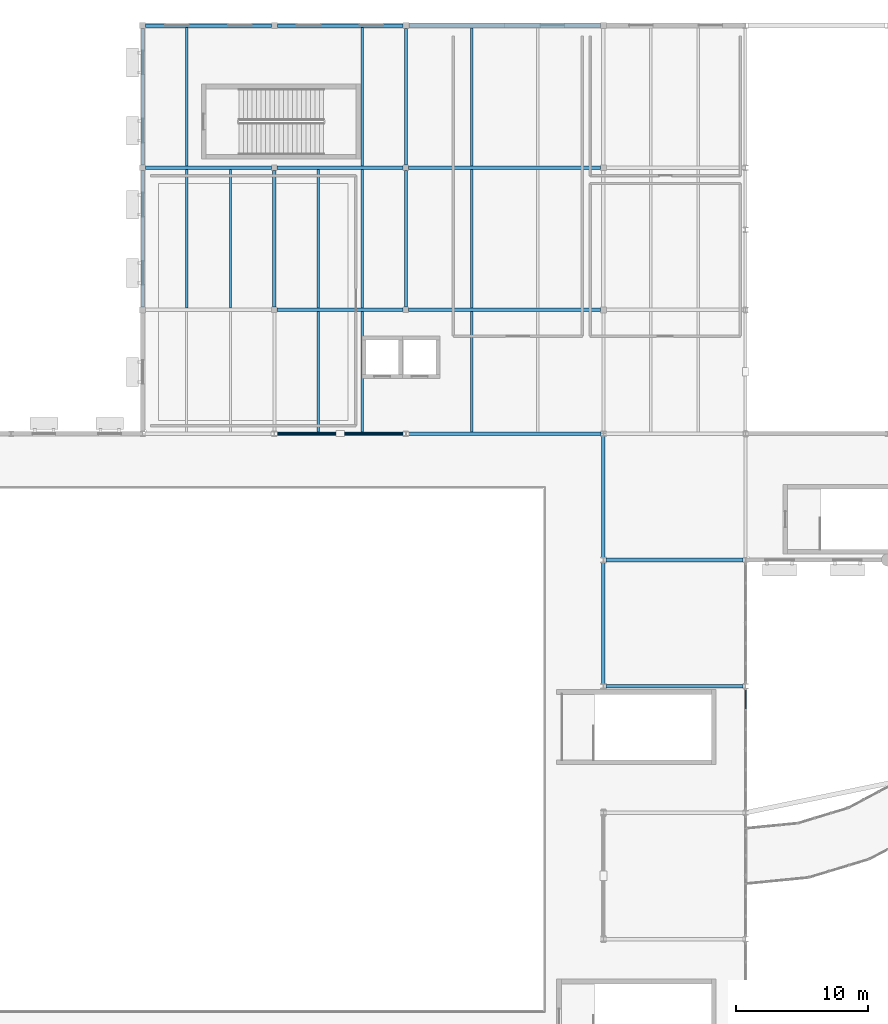
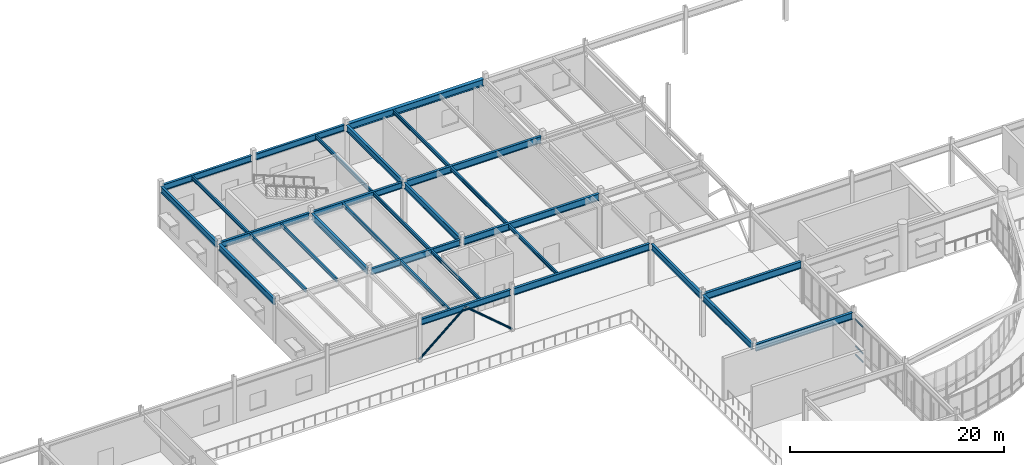
# One storey, part 23 of 68: 30 beams, 5 members, 1 element without a shape of its own.
"""IFC4 building model written with IfcOpenShell, lengths in metres."""

from ifc_helpers import new_model, si_unit, direction, frame, origin, origin_2d, place, context, subcontext, project, spatial, rectangle, hollow_circle, i_section, extrude, material, material_profile, profile_set, type_object, element, aggregate, save


model = new_model("IFC4")

# Units and contexts
model_context = context("Model", 3, precision=1e-05, world=origin(), true_north=direction((0.0, 1.0)))
body_context = subcontext(model_context, "Body", "Model", "MODEL_VIEW")
ifc_project = project(units=[si_unit("LENGTHUNIT", "METRE"), si_unit("AREAUNIT", "SQUARE_METRE"), si_unit("VOLUMEUNIT", "CUBIC_METRE"), si_unit("PLANEANGLEUNIT", "RADIAN"), si_unit("MASSUNIT", "GRAM", prefix="KILO")], contexts=[model_context])

# Site, building, storey
site_placement = place(None, origin())
site = spatial("IfcSite", under=ifc_project, at=site_placement, CompositionType="ELEMENT")
building_placement = place(site_placement, origin())
building = spatial("IfcBuilding", under=site, at=building_placement, Name="Veldera Park Congress Hotel", CompositionType="ELEMENT")
storey_placement = place(building_placement, frame((0.0, 0.0, 10.800048828125)))
storey = spatial("IfcBuildingStorey", under=building, at=storey_placement, Name="L02", CompositionType="ELEMENT", Elevation=10.800048828125)

# Beams
ifc_material_1 = material(Name="Steel ASTM A992 Gr.50", Category="steel")
ifc_material_profile_1 = material_profile(ifc_material_1, i_section(OverallWidth=0.256103515625, OverallDepth=0.693115234375, WebThickness=0.014404296875, FlangeThickness=0.023681640625, at=origin_2d()), Name="W27X114")
ifc_profile_set_1 = profile_set([ifc_material_profile_1], Name="Steel ASTM A992 Gr.50")
beam_type_1 = type_object("IfcBeamType", Name="BM-W27", PredefinedType="BEAM", material=ifc_profile_set_1)
beam_1_placement = place(storey_placement, frame((-47.39990234375, 36.625, 4.453369140625), z_axis=(0.0, 1.0, 0.0), x_axis=(-1.0, 0.0, 0.0)))
element("IfcBeam", 1, at=beam_1_placement, inside=storey, type_object=beam_type_1, Name="L02 Girder BM-W27 951", PredefinedType="BEAM", context=body_context, shape_type="SweptSolid", body=[
    extrude(i_section(OverallWidth=0.256103515625, OverallDepth=0.693115234375, WebThickness=0.014404296875, FlangeThickness=0.023681640625, at=origin_2d()), origin(), (0.0, 0.0, 1.0), 10.35009765625),
])
beam_2_placement = place(storey_placement, frame((-47.39990234375, 47.425048828125, 4.453369140625), z_axis=(0.0, 1.0, 0.0), x_axis=(-1.0, 0.0, 0.0)))
element("IfcBeam", 2, at=beam_2_placement, inside=storey, type_object=beam_type_1, Name="L02 Girder BM-W27 952", PredefinedType="BEAM", context=body_context, shape_type="SweptSolid", body=[
    extrude(i_section(OverallWidth=0.256103515625, OverallDepth=0.693115234375, WebThickness=0.014404296875, FlangeThickness=0.023681640625, at=origin_2d()), origin(), (0.0, 0.0, 1.0), 10.349853515625),
])
for number, where, z_axis, x_axis, name in (
    (3, (-37.39990234375, 36.610107421875, 4.453369140625), (0.0, 1.0, 0.0), (-1.0, 0.0, 0.0), "L02 Girder BM-W27 957"),
    (4, (-27.39990234375, 36.610107421875, 4.453369140625), (0.0, 1.0, 0.0), (-1.0, 0.0, 0.0), "L02 Girder BM-W27 958"),
):
    element("IfcBeam", number, at=place(storey_placement, frame(where, z_axis=z_axis, x_axis=x_axis)), inside=storey, type_object=beam_type_1, Name=name, PredefinedType="BEAM", context=body_context, shape_type="SweptSolid", body=[
        extrude(i_section(OverallWidth=0.256103515625, OverallDepth=0.693115234375, WebThickness=0.014404296875, FlangeThickness=0.023681640625, at=origin_2d()), origin(), (0.0, 0.0, 1.0), 10.3798828125),
    ])
beam_3_placement = place(storey_placement, frame((-27.39990234375, 47.409912109375, 4.453369140625), z_axis=(0.0, 1.0, 0.0), x_axis=(-1.0, 0.0, 0.0)))
element("IfcBeam", 5, at=beam_3_placement, inside=storey, type_object=beam_type_1, Name="L02 Girder BM-W27 959", PredefinedType="BEAM", context=body_context, shape_type="SweptSolid", body=[
    extrude(i_section(OverallWidth=0.256103515625, OverallDepth=0.693115234375, WebThickness=0.014404296875, FlangeThickness=0.023681640625, at=origin_2d()), origin(), (0.0, 0.0, 1.0), 10.364990234375),
])
beam_4_placement = place(storey_placement, frame((-12.39990234375, 7.993408203125, 4.453369140625), z_axis=(0.0, 1.0, 0.0), x_axis=(-1.0, 0.0, 0.0)))
element("IfcBeam", 6, at=beam_4_placement, inside=storey, type_object=beam_type_1, Name="L02 Girder BM-W27 961", PredefinedType="BEAM", context=body_context, shape_type="SweptSolid", body=[
    extrude(i_section(OverallWidth=0.256103515625, OverallDepth=0.693115234375, WebThickness=0.014404296875, FlangeThickness=0.023681640625, at=origin_2d()), origin(), (0.0, 0.0, 1.0), 9.213134765625),
])
beam_5_placement = place(storey_placement, frame((-12.39990234375, 17.593505859375, 4.453369140625), z_axis=(0.0, 1.0, 0.0), x_axis=(-1.0, 0.0, 0.0)))
element("IfcBeam", 7, at=beam_5_placement, inside=storey, type_object=beam_type_1, Name="L02 Girder BM-W27 962", PredefinedType="BEAM", context=body_context, shape_type="SweptSolid", body=[
    extrude(i_section(OverallWidth=0.256103515625, OverallDepth=0.693115234375, WebThickness=0.014404296875, FlangeThickness=0.023681640625, at=origin_2d()), origin(), (0.0, 0.0, 1.0), 9.2099609375),
])
ifc_material_profile_2 = material_profile(ifc_material_1, i_section(OverallWidth=0.25390625, OverallDepth=0.700927734375, WebThickness=0.015380859375, FlangeThickness=0.02783203125, at=origin_2d()), Name="W27X129")
ifc_profile_set_2 = profile_set([ifc_material_profile_2], Name="Steel ASTM A992 Gr.50")
beam_type_2 = type_object("IfcBeamType", Name="BM-W27B", PredefinedType="BEAM", material=ifc_profile_set_2)
beam_6_placement = place(storey_placement, frame((-37.212890625, 27.0, 4.449462890625), z_axis=(1.0, 0.0, 0.0), x_axis=(0.0, 1.0, 0.0)))
element("IfcBeam", 8, at=beam_6_placement, inside=storey, type_object=beam_type_2, Name="L02 Girder BM-W27B 880", PredefinedType="BEAM", context=body_context, shape_type="SweptSolid", body=[
    extrude(i_section(OverallWidth=0.25390625, OverallDepth=0.700927734375, WebThickness=0.015380859375, FlangeThickness=0.02783203125, at=origin_2d()), origin(), (0.0, 0.0, 1.0), 9.6259765625),
])
beam_7_placement = place(storey_placement, frame((-37.18994140625, 36.39990234375, 4.449462890625), z_axis=(1.0, 0.0, 0.0), x_axis=(0.0, 1.0, 0.0)))
element("IfcBeam", 9, at=beam_7_placement, inside=storey, type_object=beam_type_2, Name="L02 Girder BM-W27B 894", PredefinedType="BEAM", context=body_context, shape_type="SweptSolid", body=[
    extrude(i_section(OverallWidth=0.25390625, OverallDepth=0.700927734375, WebThickness=0.015380859375, FlangeThickness=0.02783203125, at=origin_2d()), origin(), (0.0, 0.0, 1.0), 9.579833984375),
])
beam_8_placement = place(storey_placement, frame((-47.175048828125, 47.199951171875, 4.449462890625), z_axis=(1.0, 0.0, 0.0), x_axis=(0.0, 1.0, 0.0)))
element("IfcBeam", 10, at=beam_8_placement, inside=storey, type_object=beam_type_2, Name="L02 Girder BM-W27B 903", PredefinedType="BEAM", context=body_context, shape_type="SweptSolid", body=[
    extrude(i_section(OverallWidth=0.25390625, OverallDepth=0.700927734375, WebThickness=0.015380859375, FlangeThickness=0.02783203125, at=origin_2d()), origin(), (0.0, 0.0, 1.0), 9.56494140625),
])
beam_9_placement = place(storey_placement, frame((-37.18994140625, 47.199951171875, 4.449462890625), z_axis=(1.0, 0.0, 0.0), x_axis=(0.0, 1.0, 0.0)))
element("IfcBeam", 11, at=beam_9_placement, inside=storey, type_object=beam_type_2, Name="L02 Girder BM-W27B 904", PredefinedType="BEAM", context=body_context, shape_type="SweptSolid", body=[
    extrude(i_section(OverallWidth=0.25390625, OverallDepth=0.700927734375, WebThickness=0.015380859375, FlangeThickness=0.02783203125, at=origin_2d()), origin(), (0.0, 0.0, 1.0), 9.579833984375),
])
ifc_material_profile_3 = material_profile(ifc_material_1, i_section(OverallWidth=0.25390625, OverallDepth=0.700927734375, WebThickness=0.015380859375, FlangeThickness=0.02783203125, at=origin_2d()), Name="W27X129")
ifc_profile_set_3 = profile_set([ifc_material_profile_3], Name="Steel ASTM A992 Gr.50")
beam_type_3 = type_object("IfcBeamType", Name="BM-W27BE", PredefinedType="BEAM", material=ifc_profile_set_3)
for number, where, z_axis, x_axis, name in (
    (12, (-47.175048828125, 58.0, 4.449462890625), (1.0, 0.0, 0.0), (0.0, 1.0, 0.0), "L02 Girder BM-W27BE 911"),
    (13, (-37.175048828125, 58.0, 4.449462890625), (1.0, 0.0, 0.0), (0.0, 1.0, 0.0), "L02 Girder BM-W27BE 912"),
):
    element("IfcBeam", number, at=place(storey_placement, frame(where, z_axis=z_axis, x_axis=x_axis)), inside=storey, type_object=beam_type_3, Name=name, PredefinedType="BEAM", context=body_context, shape_type="SweptSolid", body=[
        extrude(i_section(OverallWidth=0.25390625, OverallDepth=0.700927734375, WebThickness=0.015380859375, FlangeThickness=0.02783203125, at=origin_2d()), origin(), (0.0, 0.0, 1.0), 9.550048828125),
    ])
ifc_material_profile_4 = material_profile(ifc_material_1, i_section(OverallWidth=0.26708984375, OverallDepth=0.779052734375, WebThickness=0.0166015625, FlangeThickness=0.030029296875, at=origin_2d()), Name="W30X148")
ifc_profile_set_4 = profile_set([ifc_material_profile_4], Name="Steel ASTM A992 Gr.50")
beam_type_4 = type_object("IfcBeamType", Name="BM-W30", PredefinedType="BEAM", material=ifc_profile_set_4)
for number, where, z_axis, x_axis, name in (
    (14, (-12.201416015625, 7.800048828125, 4.410400390625), (1.0, 0.0, 0.0), (0.0, 1.0, 0.0), "L02 Girder BM-W30 861"),
    (15, (-12.201416015625, 17.39990234375, 4.410400390625), (1.0, 0.0, 0.0), (0.0, 1.0, 0.0), "L02 Girder BM-W30 867"),
):
    element("IfcBeam", number, at=place(storey_placement, frame(where, z_axis=z_axis, x_axis=x_axis)), inside=storey, type_object=beam_type_4, Name=name, PredefinedType="BEAM", context=body_context, shape_type="SweptSolid", body=[
        extrude(i_section(OverallWidth=0.26708984375, OverallDepth=0.779052734375, WebThickness=0.0166015625, FlangeThickness=0.030029296875, at=origin_2d()), origin(), (0.0, 0.0, 1.0), 10.414794921875),
    ])
beam_10_placement = place(storey_placement, frame((-27.212890625, 27.0, 4.410400390625), z_axis=(1.0, 0.0, 0.0), x_axis=(0.0, 1.0, 0.0)))
element("IfcBeam", 16, at=beam_10_placement, inside=storey, type_object=beam_type_4, Name="L02 Girder BM-W30 881", PredefinedType="BEAM", context=body_context, shape_type="SweptSolid", body=[
    extrude(i_section(OverallWidth=0.26708984375, OverallDepth=0.779052734375, WebThickness=0.0166015625, FlangeThickness=0.030029296875, at=origin_2d()), origin(), (0.0, 0.0, 1.0), 14.61328125),
])
for number, where, z_axis, x_axis, name in (
    (17, (-27.18994140625, 36.39990234375, 4.410400390625), (1.0, 0.0, 0.0), (0.0, 1.0, 0.0), "L02 Girder BM-W30 895"),
    (18, (-27.18994140625, 47.199951171875, 4.410400390625), (1.0, 0.0, 0.0), (0.0, 1.0, 0.0), "L02 Girder BM-W30 905"),
):
    element("IfcBeam", number, at=place(storey_placement, frame(where, z_axis=z_axis, x_axis=x_axis)), inside=storey, type_object=beam_type_4, Name=name, PredefinedType="BEAM", context=body_context, shape_type="SweptSolid", body=[
        extrude(i_section(OverallWidth=0.26708984375, OverallDepth=0.779052734375, WebThickness=0.0166015625, FlangeThickness=0.030029296875, at=origin_2d()), origin(), (0.0, 0.0, 1.0), 14.56494140625),
    ])
ifc_material_profile_5 = material_profile(ifc_material_1, i_section(OverallWidth=0.382080078125, OverallDepth=0.779052734375, WebThickness=0.01806640625, FlangeThickness=0.030029296875, at=origin_2d()), Name="W30X191")
ifc_profile_set_5 = profile_set([ifc_material_profile_5], Name="Steel ASTM A992 Gr.50")
beam_type_5 = type_object("IfcBeamType", Name="BM-W30E", PredefinedType="BEAM", material=ifc_profile_set_5)
beam_11_placement = place(storey_placement, frame((-27.175048828125, 58.0, 4.410400390625), z_axis=(1.0, 0.0, 0.0), x_axis=(0.0, 1.0, 0.0)))
element("IfcBeam", 19, at=beam_11_placement, inside=storey, type_object=beam_type_5, Name="L02 Girder BM-W30E 913", PredefinedType="BEAM", context=body_context, shape_type="SweptSolid", body=[
    extrude(i_section(OverallWidth=0.382080078125, OverallDepth=0.779052734375, WebThickness=0.01806640625, FlangeThickness=0.030029296875, at=origin_2d()), origin(), (0.0, 0.0, 1.0), 14.550048828125),
])

# Members
ifc_material_2 = material(Name="Steel ASTM A500 Gr.C", Category="steel")
ifc_material_profile_6 = material_profile(ifc_material_2, hollow_circle(Radius=0.109619140625, WallThickness=0.010009765625, at=origin_2d()), Name="CHS 219.1x10")
ifc_profile_set_6 = profile_set([ifc_material_profile_6], Name="Steel ASTM A500 Gr.C")
member_type_1 = type_object("IfcMemberType", Name="BRC-CHS219", PredefinedType="BRACE", material=ifc_profile_set_6)
for number, where, z_axis, x_axis, name in (
    (20, (-37.39990234375, 27.0, 0.199951171875), (0.761976036398, 0.0, 0.647605219216), (0.0, 1.0, 0.0), "L02 Chevron Brace 16A"),
    (21, (-27.39990234375, 27.0, 0.199951171875), (-0.761976036398, 0.0, 0.647605219216), (0.0, -1.0, 0.0), "L02 Chevron Brace 16B"),
):
    element("IfcMember", number, at=place(storey_placement, frame(where, z_axis=z_axis, x_axis=x_axis)), inside=storey, type_object=member_type_1, Name=name, PredefinedType="BRACE", context=body_context, shape_type="SweptSolid", body=[
        extrude(hollow_circle(Radius=0.109619140625, WallThickness=0.010009765625, at=origin_2d()), origin(), (0.0, 0.0, 1.0), 6.561767578125),
    ])

# Curtain wall, members
ifc_material_3 = material(Name="Low-E Triple Insulating Glass Unit (SHGC 0.22)", Category="glass")
curtain_wall_type = type_object("IfcCurtainWallType", Name="CW-POD", PredefinedType="NOTDEFINED", material=ifc_material_3)
curtain_wall_placement = place(storey_placement, origin())
curtain_wall = element("IfcCurtainWall", 22, at=curtain_wall_placement, inside=storey, type_object=curtain_wall_type, Name="L02 Curtain Wall CW3-V1E-L02-070", PredefinedType="NOTDEFINED")
ifc_material_4 = material(Name="Anodised Aluminium Alloy 6063-T6", Category="aluminium")
ifc_material_profile_7 = material_profile(ifc_material_4, rectangle(XDim=0.080078125, YDim=0.179931640625, at=origin_2d()), Name="ALU 80x180")
ifc_profile_set_7 = profile_set([ifc_material_profile_7], Name="Anodised Aluminium Alloy 6063-T6")
member_type_2 = type_object("IfcMemberType", Name="CWT-180", PredefinedType="USERDEFINED", material=ifc_profile_set_7)
member_1_placement = place(storey_placement, frame((-1.60009765625, 6.095703125, 0.0400390625), z_axis=(0.0, 1.0, 0.0), x_axis=(-1.0, 0.0, 0.0)))
member_1 = element("IfcMember", 23, at=member_1_placement, type_object=member_type_2, Name="CW-POD transom 3.1", ObjectType="TRANSOM", PredefinedType="USERDEFINED", context=body_context, shape_type="SweptSolid", body=[
    extrude(rectangle(XDim=0.080078125, YDim=0.179931640625, at=origin_2d()), origin(), (0.0, 0.0, 1.0), 1.400390625),
])
member_2_placement = place(storey_placement, frame((-1.60009765625, 6.095703125, 1.0), z_axis=(0.0, 1.0, 0.0), x_axis=(-1.0, 0.0, 0.0)))
member_2 = element("IfcMember", 24, at=member_2_placement, type_object=member_type_2, Name="CW-POD transom 3.2", ObjectType="TRANSOM", PredefinedType="USERDEFINED", context=body_context, shape_type="SweptSolid", body=[
    extrude(rectangle(XDim=0.080078125, YDim=0.179931640625, at=origin_2d()), origin(), (0.0, 0.0, 1.0), 1.400390625),
])
member_3_placement = place(storey_placement, frame((-1.60009765625, 6.095703125, 4.06201171875), z_axis=(0.0, 1.0, 0.0), x_axis=(-1.0, 0.0, 0.0)))
member_3 = element("IfcMember", 25, at=member_3_placement, type_object=member_type_2, Name="CW-POD transom 3.3", ObjectType="TRANSOM", PredefinedType="USERDEFINED", context=body_context, shape_type="SweptSolid", body=[
    extrude(rectangle(XDim=0.080078125, YDim=0.179931640625, at=origin_2d()), origin(), (0.0, 0.0, 1.0), 1.400390625),
])
aggregate(curtain_wall, [member_1, member_2, member_3])

# Beams
ifc_material_profile_8 = material_profile(ifc_material_1, i_section(OverallWidth=0.178955078125, OverallDepth=0.409912109375, WebThickness=0.0087890625, FlangeThickness=0.014404296875, at=origin_2d()), Name="W16X45")
ifc_profile_set_8 = profile_set([ifc_material_profile_8], Name="Steel ASTM A992 Gr.50")
beam_type_6 = type_object("IfcBeamType", Name="JST-W16", PredefinedType="JOIST", material=ifc_profile_set_8)
for number, where, z_axis, x_axis, name in (
    (26, (-34.066650390625, 27.126953125, 4.594970703125), (0.0, 1.0, 0.0), (-1.0, 0.0, 0.0), "L02 Floor Joist JST-W16 1048"),
    (27, (-30.7333984375, 27.126953125, 4.594970703125), (0.0, 1.0, 0.0), (-1.0, 0.0, 0.0), "L02 Floor Joist JST-W16 1049"),
):
    element("IfcBeam", number, at=place(storey_placement, frame(where, z_axis=z_axis, x_axis=x_axis)), inside=storey, type_object=beam_type_6, Name=name, PredefinedType="JOIST", context=body_context, shape_type="SweptSolid", body=[
        extrude(i_section(OverallWidth=0.178955078125, OverallDepth=0.409912109375, WebThickness=0.0087890625, FlangeThickness=0.014404296875, at=origin_2d()), origin(), (0.0, 0.0, 1.0), 9.14599609375),
    ])
beam_12_placement = place(storey_placement, frame((-22.39990234375, 27.133544921875, 4.594970703125), z_axis=(0.0, 1.0, 0.0), x_axis=(-1.0, 0.0, 0.0)))
element("IfcBeam", 28, at=beam_12_placement, inside=storey, type_object=beam_type_6, Name="L02 Floor Joist JST-W16 1050", PredefinedType="JOIST", context=body_context, shape_type="SweptSolid", body=[
    extrude(i_section(OverallWidth=0.178955078125, OverallDepth=0.409912109375, WebThickness=0.0087890625, FlangeThickness=0.014404296875, at=origin_2d()), origin(), (0.0, 0.0, 1.0), 9.133056640625),
])
ifc_material_profile_9 = material_profile(ifc_material_1, i_section(OverallWidth=0.180908203125, OverallDepth=0.4169921875, WebThickness=0.010986328125, FlangeThickness=0.018310546875, at=origin_2d()), Name="W16X57")
ifc_profile_set_9 = profile_set([ifc_material_profile_9], Name="Steel ASTM A992 Gr.50")
beam_type_7 = type_object("IfcBeamType", Name="JST-W16B", PredefinedType="JOIST", material=ifc_profile_set_9)
for number, where, z_axis, x_axis, name in (
    (29, (-44.066650390625, 36.527099609375, 4.591552734375), (0.0, 1.0, 0.0), (-1.0, 0.0, 0.0), "L02 Floor Joist JST-W16B 1061"),
    (30, (-40.7333984375, 36.527099609375, 4.591552734375), (0.0, 1.0, 0.0), (-1.0, 0.0, 0.0), "L02 Floor Joist JST-W16B 1062"),
    (31, (-34.066650390625, 36.527099609375, 4.591552734375), (0.0, 1.0, 0.0), (-1.0, 0.0, 0.0), "L02 Floor Joist JST-W16B 1063"),
    (32, (-30.7333984375, 36.527099609375, 4.591552734375), (0.0, 1.0, 0.0), (-1.0, 0.0, 0.0), "L02 Floor Joist JST-W16B 1064"),
):
    element("IfcBeam", number, at=place(storey_placement, frame(where, z_axis=z_axis, x_axis=x_axis)), inside=storey, type_object=beam_type_7, Name=name, PredefinedType="JOIST", context=body_context, shape_type="SweptSolid", body=[
        extrude(i_section(OverallWidth=0.180908203125, OverallDepth=0.4169921875, WebThickness=0.010986328125, FlangeThickness=0.018310546875, at=origin_2d()), origin(), (0.0, 0.0, 1.0), 10.5458984375),
    ])
beam_13_placement = place(storey_placement, frame((-22.39990234375, 36.533447265625, 4.591552734375), z_axis=(0.0, 1.0, 0.0), x_axis=(-1.0, 0.0, 0.0)))
element("IfcBeam", 33, at=beam_13_placement, inside=storey, type_object=beam_type_7, Name="L02 Floor Joist JST-W16B 1065", PredefinedType="JOIST", context=body_context, shape_type="SweptSolid", body=[
    extrude(i_section(OverallWidth=0.180908203125, OverallDepth=0.4169921875, WebThickness=0.010986328125, FlangeThickness=0.018310546875, at=origin_2d()), origin(), (0.0, 0.0, 1.0), 10.532958984375),
])
for number, where, z_axis, x_axis, name in (
    (34, (-44.066650390625, 47.326904296875, 4.591552734375), (0.0, 1.0, 0.0), (-1.0, 0.0, 0.0), "L02 Floor Joist JST-W16B 1073"),
    (35, (-30.7333984375, 47.326904296875, 4.591552734375), (0.0, 1.0, 0.0), (-1.0, 0.0, 0.0), "L02 Floor Joist JST-W16B 1074"),
):
    element("IfcBeam", number, at=place(storey_placement, frame(where, z_axis=z_axis, x_axis=x_axis)), inside=storey, type_object=beam_type_7, Name=name, PredefinedType="JOIST", context=body_context, shape_type="SweptSolid", body=[
        extrude(i_section(OverallWidth=0.180908203125, OverallDepth=0.4169921875, WebThickness=0.010986328125, FlangeThickness=0.018310546875, at=origin_2d()), origin(), (0.0, 0.0, 1.0), 10.546142578125),
    ])
beam_14_placement = place(storey_placement, frame((-22.39990234375, 47.33349609375, 4.591552734375), z_axis=(0.0, 1.0, 0.0), x_axis=(-1.0, 0.0, 0.0)))
element("IfcBeam", 36, at=beam_14_placement, inside=storey, type_object=beam_type_7, Name="L02 Floor Joist JST-W16B 1075", PredefinedType="JOIST", context=body_context, shape_type="SweptSolid", body=[
    extrude(i_section(OverallWidth=0.180908203125, OverallDepth=0.4169921875, WebThickness=0.010986328125, FlangeThickness=0.018310546875, at=origin_2d()), origin(), (0.0, 0.0, 1.0), 10.4755859375),
])

save(model, "model.ifc")
